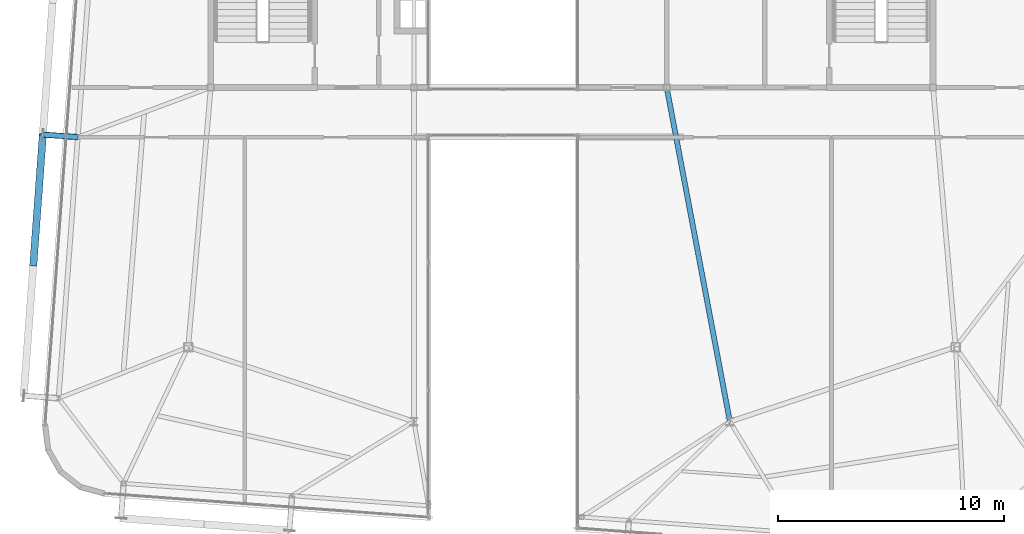
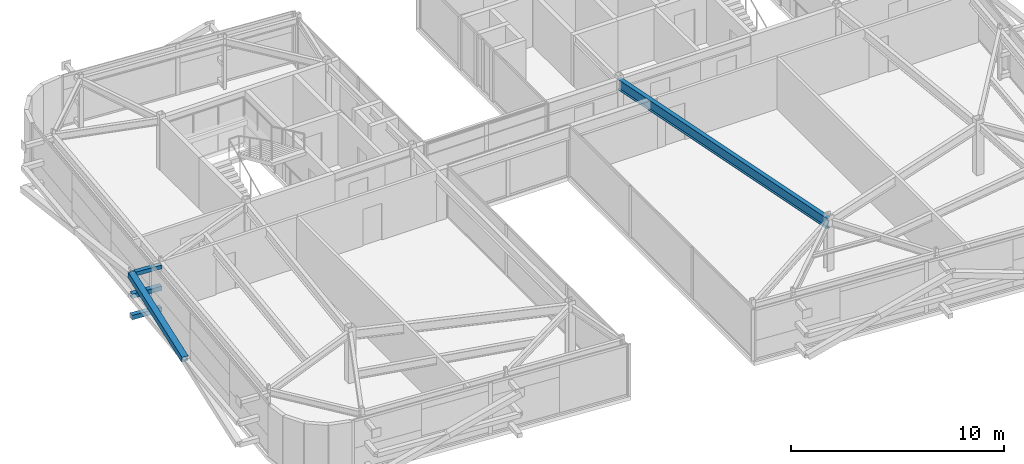
# One storey, part 14 of 39: 4 members, 1 beam.
"""IFC4 building model written with IfcOpenShell, lengths in metres."""

from ifc_helpers import new_model, si_unit, direction, frame, origin, origin_2d, place, context, subcontext, project, spatial, hollow_rectangle, i_section, extrude, source, transform, mapped, material, material_profile, profile_set, type_object, element, save


model = new_model("IFC4")

# Units and contexts
model_context = context("Model", 3, precision=1e-05, world=origin(), true_north=direction((0.0, 1.0)))
body_context = subcontext(model_context, "Body", "Model", "MODEL_VIEW")
ifc_project = project(units=[si_unit("LENGTHUNIT", "METRE"), si_unit("AREAUNIT", "SQUARE_METRE"), si_unit("VOLUMEUNIT", "CUBIC_METRE"), si_unit("PLANEANGLEUNIT", "RADIAN"), si_unit("MASSUNIT", "GRAM", prefix="KILO")], contexts=[model_context])

# Site, building, storey
site_placement = place(None, origin())
site = spatial("IfcSite", under=ifc_project, at=site_placement, CompositionType="ELEMENT")
building_placement = place(site_placement, origin())
building = spatial("IfcBuilding", under=site, at=building_placement, Name="Taldren Reach Tower", CompositionType="ELEMENT")
storey_placement = place(building_placement, frame((0.0, 0.0, 230.300048828125)))
storey = spatial("IfcBuildingStorey", under=building, at=storey_placement, Name="L70", CompositionType="ELEMENT", Elevation=230.300048828125)

# Beam
ifc_material_1 = material(Name="Steel Gr 350 (350PLUS)", Category="steel")
ifc_material_profile_1 = material_profile(ifc_material_1, i_section(OverallWidth=0.22802734375, OverallDepth=0.60205078125, WebThickness=0.010498046875, FlangeThickness=0.014892578125, at=origin_2d()), Name="610UB101")
ifc_profile_set_1 = profile_set([ifc_material_profile_1], Name="Steel Gr 350 (350PLUS)")
beam_type = type_object("IfcBeamType", Name="BM-UB610B", PredefinedType="BEAM", material=ifc_profile_set_1)
shared_shape_1 = source(origin(), body_context, "Body", "SweptSolid", [
    extrude(i_section(OverallWidth=0.22802734375, OverallDepth=0.60205078125, WebThickness=0.010498046875, FlangeThickness=0.014892578125, at=origin_2d()), origin(), (0.0, 0.0, 1.0), 15.0625),
])
beam_placement = place(storey_placement, frame((39.199951171875, 24.0, 2.62890625), z_axis=(0.185894205668, -0.982569765614, 0.0), x_axis=(0.982569765614, 0.185894205668, 0.0)))
element("IfcBeam", 1, at=beam_placement, inside=storey, type_object=beam_type, Name="Core-spine girder L70-SP15", PredefinedType="BEAM", context=body_context, shape_type="MappedRepresentation", body=[
    mapped(shared_shape_1, transform((0.0, 0.0, 0.0), scale=1.0)),
])

# Members
ifc_material_2 = material(Name="Steel Gr 450 (C450L0)", Category="steel")
ifc_material_profile_2 = material_profile(ifc_material_2, hollow_rectangle(XDim=0.219970703125, YDim=0.219970703125, WallThickness=0.00830078125, at=origin_2d()), Name="220x220x8.2SHS")
ifc_profile_set_2 = profile_set([ifc_material_profile_2], Name="Steel Gr 450 (C450L0)")
member_type_1 = type_object("IfcMemberType", Name="MB-TIE219", PredefinedType="STRUT", material=ifc_profile_set_2)
shared_shape_2 = source(origin(), body_context, "Body", "SweptSolid", [
    extrude(hollow_rectangle(XDim=0.219970703125, YDim=0.219970703125, WallThickness=0.00830078125, at=origin_2d()), origin(), (0.0, 0.0, 1.0), 1.546142578125),
])
member_1_placement = place(storey_placement, frame((13.104736328125, 21.800537109375, 2.64990234375), z_axis=(-0.997312378271, 0.073266773831, 0.0), x_axis=(-0.073266773831, -0.997312378271, 0.0)))
element("IfcMember", 2, at=member_1_placement, inside=storey, type_object=member_type_1, Name="Exoskeleton diaphragm tie strut B5-W2 L70", PredefinedType="STRUT", context=body_context, shape_type="MappedRepresentation", body=[
    mapped(shared_shape_2, transform((0.0, 0.0, 0.0), scale=1.0)),
])
ifc_material_profile_3 = material_profile(ifc_material_2, hollow_rectangle(XDim=0.324951171875, YDim=0.324951171875, WallThickness=0.0126953125, at=origin_2d()), Name="325x325x12.7SHS")
ifc_profile_set_3 = profile_set([ifc_material_profile_3], Name="Steel Gr 450 (C450L0)")
member_type_2 = type_object("IfcMemberType", Name="MB-BR324", PredefinedType="BRACE", material=ifc_profile_set_3)
shared_shape_3 = source(origin(), body_context, "Body", "SweptSolid", [
    extrude(hollow_rectangle(XDim=0.324951171875, YDim=0.324951171875, WallThickness=0.0126953125, at=origin_2d()), origin(), (0.0, 0.0, 1.0), 5.92578125),
])
member_2_placement = place(storey_placement, frame((11.137939453125, 16.12939453125, 1.43505859375), z_axis=(0.071686540919, 0.976131732187, 0.205007027365), x_axis=(-0.997314185625, 0.073242167855, 0.0)))
element("IfcMember", 3, at=member_2_placement, inside=storey, type_object=member_type_2, Name="Exoskeleton Diagrid Brace B5-W1 L70", PredefinedType="BRACE", context=body_context, shape_type="MappedRepresentation", body=[
    mapped(shared_shape_3, transform((0.0, 0.0, 0.0), scale=1.0)),
])
ifc_material_3 = material(Name="Steel Gr 350 (C350L0)", Category="steel")
ifc_material_profile_4 = material_profile(ifc_material_3, hollow_rectangle(XDim=0.25, YDim=0.25, WallThickness=0.010009765625, at=origin_2d()), Name="250x250x10.0SHS")
ifc_profile_set_4 = profile_set([ifc_material_profile_4], Name="Steel Gr 350 (C350L0)")
member_type_3 = type_object("IfcMemberType", Name="MB-POST250", PredefinedType="POST", material=ifc_profile_set_4)
shared_shape_4 = source(origin(), body_context, "Body", "SweptSolid", [
    extrude(hollow_rectangle(XDim=0.25, YDim=0.25, WallThickness=0.010009765625, at=origin_2d()), origin(), (0.0, 0.0, 1.0), 1.546142578125),
])
for number, where, z_axis, x_axis, name in (
    (4, (13.104736328125, 21.800537109375, 0.219970703125), (-0.997312378271, 0.073266773831, 0.0), (-0.073266773831, -0.997312378271, 0.0), "Exoskeleton base diaphragm tie strut B5-W2 L70"),
    (5, (13.104736328125, 21.800537109375, 1.43505859375), (-0.997312378271, 0.073266773831, 0.0), (-0.073266773831, -0.997312378271, 0.0), "Exoskeleton mid-tier diaphragm tie B5-W2 L70"),
):
    element("IfcMember", number, at=place(storey_placement, frame(where, z_axis=z_axis, x_axis=x_axis)), inside=storey, type_object=member_type_3, Name=name, PredefinedType="POST", context=body_context, shape_type="MappedRepresentation", body=[
        mapped(shared_shape_4, transform((0.0, 0.0, 0.0), scale=1.0)),
    ])

save(model, "model.ifc")
